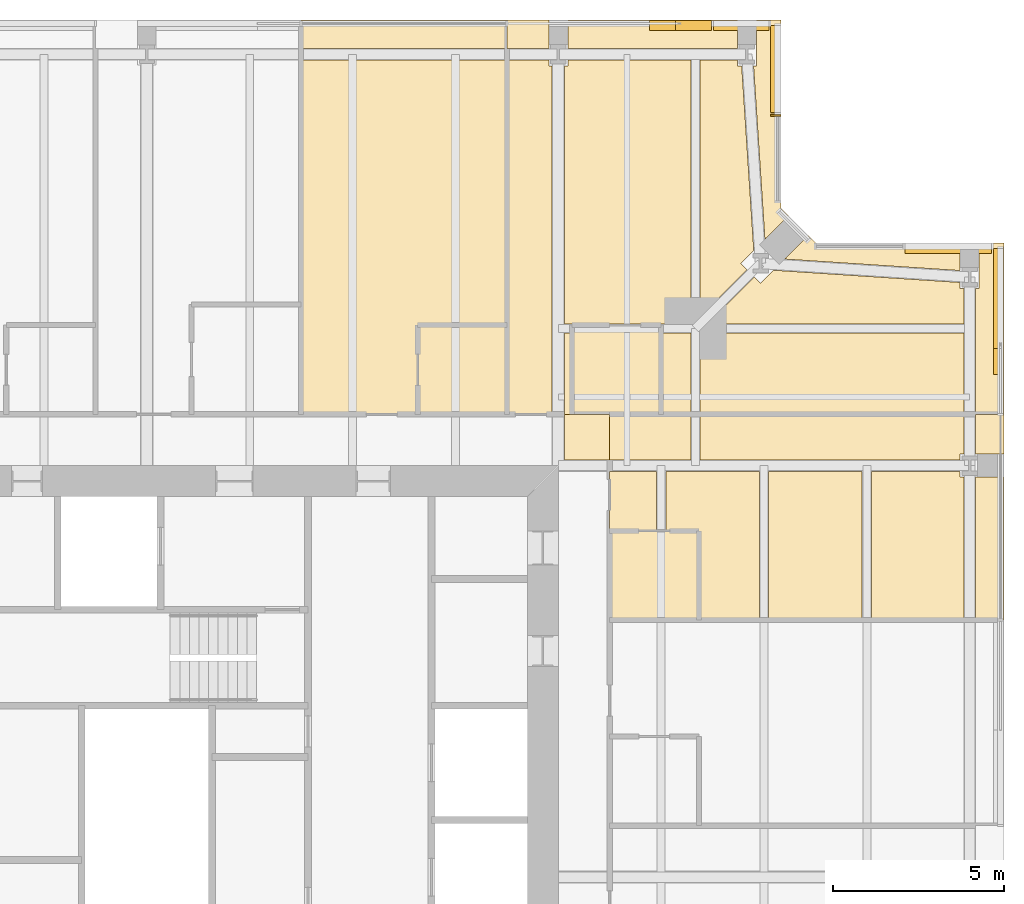
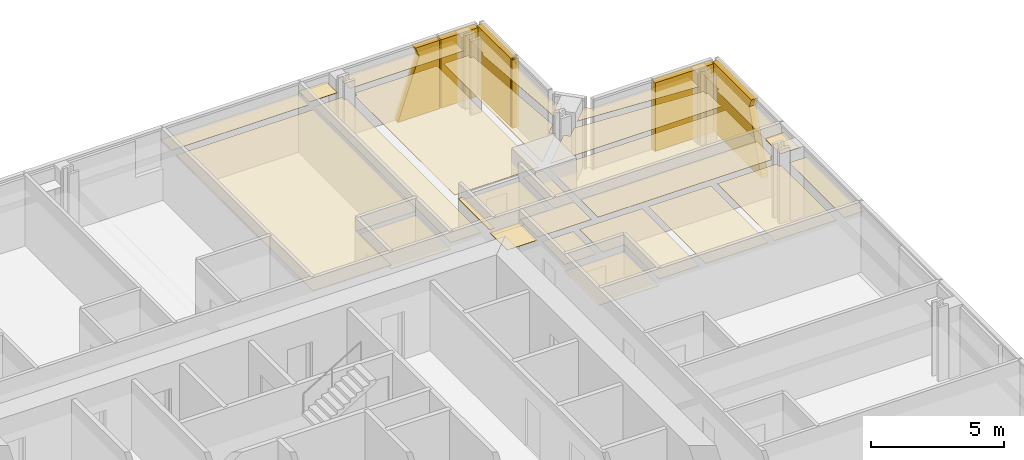
# One storey, part 20 of 20: 32 coverings.
"""IFC4 building model written with IfcOpenShell, lengths in metres."""

from ifc_helpers import new_model, si_unit, direction, frame, origin, place, context, subcontext, project, spatial, polyline, outline, extrude, material, layer, layer_set, type_object, element, save


model = new_model("IFC4")

# Units and contexts
model_context = context("Model", 3, precision=1e-05, world=origin(), true_north=direction((0.0, 1.0)))
body_context = subcontext(model_context, "Body", "Model", "MODEL_VIEW")
ifc_project = project(units=[si_unit("LENGTHUNIT", "METRE"), si_unit("AREAUNIT", "SQUARE_METRE"), si_unit("VOLUMEUNIT", "CUBIC_METRE"), si_unit("PLANEANGLEUNIT", "RADIAN"), si_unit("MASSUNIT", "GRAM", prefix="KILO")], contexts=[model_context])

# Site, building, storey
site_placement = place(None, origin())
site = spatial("IfcSite", under=ifc_project, at=site_placement, CompositionType="ELEMENT")
building_placement = place(site_placement, origin())
building = spatial("IfcBuilding", under=site, at=building_placement, Name="Fenwick Lantern Interchange", CompositionType="ELEMENT")
storey_placement = place(building_placement, frame((0.0, 0.0, 252.60009765625)))
storey = spatial("IfcBuildingStorey", under=building, at=storey_placement, Name="L59", CompositionType="ELEMENT", Elevation=252.60009765625)

# Coverings
ifc_material_1 = material(Name="Granite cladding, warm grey flamed finish, on aluminium carrier frame", Category="masonry")
ifc_layer_1 = layer(ifc_material_1, 0.300048828125)
ifc_layer_set_1 = layer_set([ifc_layer_1], Name="BRACE CASING PANEL 300")
covering_type_1 = type_object("IfcCoveringType", Name="BRACE CASING PANEL 300", PredefinedType="CLADDING", material=ifc_layer_set_1)
covering_1_placement = place(storey_placement, frame((49.89990234375, 6.60009765625, 0.0), z_axis=(0.0, 0.0, 1.0), x_axis=(0.0, 1.0, 0.0)))
element("IfcCovering", 1, at=covering_1_placement, inside=storey, type_object=covering_type_1, Name="Brace casing 05 bay 06a", PredefinedType="CLADDING", context=body_context, shape_type="SweptSolid", body=[
    extrude(outline(polyline([(33.056884765625, 0.0), (36.739990234375, 0.0), (36.739990234375, 3.14990234375), (33.814453125, 3.14990234375), (33.981201171875, 2.737548828125), (33.056884765625, 0.0)])), frame((0.0, 0.2099609375, 0.0), z_axis=(0.0, -1.0, 0.0), x_axis=(1.0, 0.0, 0.0)), (0.0, 0.0, 1.0), 0.300048828125),
])
covering_2_placement = place(storey_placement, frame((49.89990234375, 43.39990234375, 0.0), z_axis=(0.0, 0.0, 1.0), x_axis=(-1.0, 0.0, 0.0)))
element("IfcCovering", 2, at=covering_2_placement, inside=storey, type_object=covering_type_1, Name="Brace casing 06 bay 00a", PredefinedType="CLADDING", context=body_context, shape_type="SweptSolid", body=[
    extrude(outline(polyline([(0.260009765625, 0.0), (2.790771484375, 0.0), (2.790771484375, 3.14990234375), (0.260009765625, 3.14990234375), (0.260009765625, 0.0)])), frame((0.0, 0.2099609375, 0.0), z_axis=(0.0, -1.0, 0.0), x_axis=(1.0, 0.0, 0.0)), (0.0, 0.0, 1.0), 0.300048828125),
])
covering_3_placement = place(storey_placement, frame((43.39990234375, 44.45849609375, 0.0), z_axis=(0.0, 0.0, 1.0), x_axis=(0.0, 1.0, 0.0)))
element("IfcCovering", 3, at=covering_3_placement, inside=storey, type_object=covering_type_1, Name="Brace casing 08 bay 00a", PredefinedType="CLADDING", context=body_context, shape_type="SweptSolid", body=[
    extrude(outline(polyline([(2.741455078125, 0.0), (2.790771484375, 0.0), (2.790771484375, 3.14990234375), (2.741455078125, 3.14990234375), (2.741455078125, 0.0)])), frame((0.0, 0.2099609375, 0.0), z_axis=(0.0, -1.0, 0.0), x_axis=(1.0, 0.0, 0.0)), (0.0, 0.0, 1.0), 0.300048828125),
])
covering_4_placement = place(storey_placement, frame((43.39990234375, 44.45849609375, 0.0), z_axis=(0.0, 0.0, 1.0), x_axis=(0.0, 1.0, 0.0)))
element("IfcCovering", 4, at=covering_4_placement, inside=storey, type_object=covering_type_1, Name="Brace casing 08 bay 01a", PredefinedType="CLADDING", context=body_context, shape_type="SweptSolid", body=[
    extrude(outline(polyline([(2.850830078125, 0.0), (5.38134765625, 0.0), (5.38134765625, 3.14990234375), (2.850830078125, 3.14990234375), (2.850830078125, 0.0)])), frame((0.0, 0.2099609375, 0.0), z_axis=(0.0, -1.0, 0.0), x_axis=(1.0, 0.0, 0.0)), (0.0, 0.0, 1.0), 0.300048828125),
])
covering_5_placement = place(storey_placement, frame((43.39990234375, 49.89990234375, 0.0), z_axis=(0.0, 0.0, 1.0), x_axis=(-1.0, 0.0, 0.0)))
element("IfcCovering", 5, at=covering_5_placement, inside=storey, type_object=covering_type_1, Name="Brace casing 09 bay 00a", PredefinedType="CLADDING", context=body_context, shape_type="SweptSolid", body=[
    extrude(outline(polyline([(0.260009765625, 0.0), (1.8701171875, 0.0), (1.8701171875, 3.14990234375), (0.260009765625, 3.14990234375), (0.260009765625, 0.0)])), frame((0.0, 0.2099609375, 0.0), z_axis=(0.0, -1.0, 0.0), x_axis=(1.0, 0.0, 0.0)), (0.0, 0.0, 1.0), 0.300048828125),
])
covering_6_placement = place(storey_placement, frame((43.39990234375, 49.89990234375, 0.0), z_axis=(0.0, 0.0, 1.0), x_axis=(-1.0, 0.0, 0.0)))
element("IfcCovering", 6, at=covering_6_placement, inside=storey, type_object=covering_type_1, Name="Brace casing 09 bay 01a", PredefinedType="CLADDING", context=body_context, shape_type="SweptSolid", body=[
    extrude(outline(polyline([(1.929931640625, 0.0), (3.7431640625, 0.0), (2.81884765625, 2.737548828125), (2.985595703125, 3.14990234375), (1.929931640625, 3.14990234375), (1.929931640625, 0.0)])), frame((0.0, 0.2099609375, 0.0), z_axis=(0.0, -1.0, 0.0), x_axis=(1.0, 0.0, 0.0)), (0.0, 0.0, 1.0), 0.300048828125),
])
ifc_material_2 = material(Name="Moisture resistant gypsum board on suspended frame, painted")
ifc_layer_2 = layer(ifc_material_2, 0.014892578125)
ifc_layer_set_2 = layer_set([ifc_layer_2], Name="MOISTURE RESISTANT CEILING 15")
covering_type_2 = type_object("IfcCoveringType", Name="MOISTURE RESISTANT CEILING 15", PredefinedType="CEILING", material=ifc_layer_set_2)
covering_7_placement = place(storey_placement, frame((0.0, 0.0, 2.39990234375)))
element("IfcCovering", 7, at=covering_7_placement, inside=storey, type_object=covering_type_2, Name="En-suite 5910 ceiling", PredefinedType="CEILING", context=body_context, shape_type="SweptSolid", body=[
    extrude(outline(polyline([(41.10009765625, 32.5), (41.10009765625, 35.10009765625), (38.5, 35.10009765625), (38.5, 32.5), (41.10009765625, 32.5)])), origin(), (0.0, 0.0, 1.0), 0.014892578125),
])
covering_8_placement = place(storey_placement, frame((0.0, 0.0, 2.39990234375)))
element("IfcCovering", 8, at=covering_8_placement, inside=storey, type_object=covering_type_2, Name="En-suite 5911 ceiling", PredefinedType="CEILING", context=body_context, shape_type="SweptSolid", body=[
    extrude(outline(polyline([(40.0, 41.10009765625), (37.39990234375, 41.10009765625), (37.39990234375, 38.5), (40.0, 38.5), (40.0, 41.10009765625)])), origin(), (0.0, 0.0, 1.0), 0.014892578125),
])
covering_9_placement = place(storey_placement, frame((0.0, 0.0, 2.39990234375)))
element("IfcCovering", 9, at=covering_9_placement, inside=storey, type_object=covering_type_2, Name="En-suite 5912 ceiling", PredefinedType="CEILING", context=body_context, shape_type="SweptSolid", body=[
    extrude(outline(polyline([(35.5, 41.10009765625), (32.89990234375, 41.10009765625), (32.89990234375, 38.5), (35.5, 38.5), (35.5, 41.10009765625)])), origin(), (0.0, 0.0, 1.0), 0.014892578125),
])
ifc_material_3 = material(Name="Gypsum plasterboard on suspended frame, painted")
ifc_layer_3 = layer(ifc_material_3, 0.014892578125)
ifc_layer_set_3 = layer_set([ifc_layer_3], Name="PLASTERBOARD CEILING 15")
covering_type_3 = type_object("IfcCoveringType", Name="PLASTERBOARD CEILING 15", PredefinedType="CEILING", material=ifc_layer_set_3)
covering_10_placement = place(storey_placement, frame((0.0, 0.0, 2.57275390625)))
element("IfcCovering", 10, at=covering_10_placement, inside=storey, type_object=covering_type_3, Name="Corridor ceiling", PredefinedType="CEILING", context=body_context, shape_type="SweptSolid", body=[
    extrude(outline(polyline([(38.5, 38.5), (37.183837890625, 38.5), (37.183837890625, 37.166015625), (38.5, 37.166015625), (38.5, 38.5)])), origin(), (0.0, 0.0, 1.0), 0.014892578125),
])
covering_11_placement = place(storey_placement, frame((0.0, 0.0, 2.699951171875)))
element("IfcCovering", 11, at=covering_11_placement, inside=storey, type_object=covering_type_3, Name="Guest room 5910 ceiling", PredefinedType="CEILING", context=body_context, shape_type="SweptSolid", body=[
    extrude(outline(polyline([(43.134521484375, 32.5), (45.865478515625, 32.5), (45.865478515625, 36.833984375), (43.134521484375, 36.833984375), (43.134521484375, 32.5)])), origin(), (0.0, 0.0, 1.0), 0.014892578125),
])
covering_12_placement = place(storey_placement, frame((0.0, 0.0, 2.699951171875)))
element("IfcCovering", 12, at=covering_12_placement, inside=storey, type_object=covering_type_3, Name="Guest room 5910 ceiling", PredefinedType="CEILING", context=body_context, shape_type="SweptSolid", body=[
    extrude(outline(polyline([(48.72265625, 36.66552734375), (48.72265625, 36.833984375), (46.134521484375, 36.833984375), (46.134521484375, 32.5), (48.82763671875, 32.5), (48.82763671875, 36.66552734375), (48.72265625, 36.66552734375)])), origin(), (0.0, 0.0, 1.0), 0.014892578125),
])
covering_13_placement = place(storey_placement, frame((0.0, 0.0, 2.699951171875)))
element("IfcCovering", 13, at=covering_13_placement, inside=storey, type_object=covering_type_3, Name="Guest room 5910 ceiling", PredefinedType="CEILING", context=body_context, shape_type="SweptSolid", body=[
    extrude(outline(polyline([(48.72265625, 37.33447265625), (48.82763671875, 37.33447265625), (48.82763671875, 38.5), (41.134521484375, 38.5), (41.134521484375, 37.166015625), (48.72265625, 37.166015625), (48.72265625, 37.33447265625)])), origin(), (0.0, 0.0, 1.0), 0.014892578125),
])
covering_14_placement = place(storey_placement, frame((0.0, 0.0, 2.699951171875)))
element("IfcCovering", 14, at=covering_14_placement, inside=storey, type_object=covering_type_3, Name="Guest room 5910 ceiling", PredefinedType="CEILING", context=body_context, shape_type="SweptSolid", body=[
    extrude(outline(polyline([(41.10009765625, 32.5), (42.865478515625, 32.5), (42.865478515625, 36.833984375), (40.134521484375, 36.833984375), (40.134521484375, 35.10009765625), (41.10009765625, 35.10009765625), (41.10009765625, 32.5)])), origin(), (0.0, 0.0, 1.0), 0.014892578125),
])
covering_15_placement = place(storey_placement, frame((0.0, 0.0, 2.699951171875)))
element("IfcCovering", 15, at=covering_15_placement, inside=storey, type_object=covering_type_3, Name="Guest room 5910 ceiling", PredefinedType="CEILING", context=body_context, shape_type="SweptSolid", body=[
    extrude(outline(polyline([(50.0, 36.66552734375), (49.17236328125, 36.66552734375), (49.17236328125, 32.5), (50.0, 32.5), (50.0, 36.66552734375)])), origin(), (0.0, 0.0, 1.0), 0.014892578125),
])
covering_16_placement = place(storey_placement, frame((0.0, 0.0, 2.699951171875)))
element("IfcCovering", 16, at=covering_16_placement, inside=storey, type_object=covering_type_3, Name="Guest room 5910 ceiling", PredefinedType="CEILING", context=body_context, shape_type="SweptSolid", body=[
    extrude(outline(polyline([(38.5, 38.5), (38.5, 37.166015625), (40.865478515625, 37.166015625), (40.865478515625, 38.5), (38.5, 38.5)])), origin(), (0.0, 0.0, 1.0), 0.014892578125),
])
covering_17_placement = place(storey_placement, frame((0.0, 0.0, 2.699951171875)))
element("IfcCovering", 17, at=covering_17_placement, inside=storey, type_object=covering_type_3, Name="Guest room 5910 ceiling", PredefinedType="CEILING", context=body_context, shape_type="SweptSolid", body=[
    extrude(outline(polyline([(38.5, 35.10009765625), (39.865478515625, 35.10009765625), (39.865478515625, 36.833984375), (38.5, 36.833984375), (38.5, 35.10009765625)])), origin(), (0.0, 0.0, 1.0), 0.014892578125),
])
covering_18_placement = place(storey_placement, frame((0.0, 0.0, 2.699951171875)))
element("IfcCovering", 18, at=covering_18_placement, inside=storey, type_object=covering_type_3, Name="Guest room 5910 ceiling", PredefinedType="CEILING", context=body_context, shape_type="SweptSolid", body=[
    extrude(outline(polyline([(50.0, 37.33447265625), (50.0, 38.5), (49.17236328125, 38.5), (49.17236328125, 37.33447265625), (50.0, 37.33447265625)])), origin(), (0.0, 0.0, 1.0), 0.014892578125),
])
covering_19_placement = place(storey_placement, frame((0.0, 0.0, 2.699951171875)))
element("IfcCovering", 19, at=covering_19_placement, inside=storey, type_object=covering_type_3, Name="Guest suite 5911 ceiling", PredefinedType="CEILING", context=body_context, shape_type="SweptSolid", body=[
    extrude(outline(polyline([(37.27734375, 48.66552734375), (37.183837890625, 48.66552734375), (37.183837890625, 41.134521484375), (40.865478515625, 41.134521484375), (40.865478515625, 48.82763671875), (37.27734375, 48.82763671875), (37.27734375, 48.66552734375)])), origin(), (0.0, 0.0, 1.0), 0.014892578125),
])
covering_20_placement = place(storey_placement, frame((0.0, 0.0, 2.699951171875)))
element("IfcCovering", 20, at=covering_20_placement, inside=storey, type_object=covering_type_3, Name="Guest suite 5911 ceiling", PredefinedType="CEILING", context=body_context, shape_type="SweptSolid", body=[
    extrude(outline(polyline([(41.134521484375, 38.5), (48.82763671875, 38.5), (48.82763671875, 40.865478515625), (41.134521484375, 40.865478515625), (41.134521484375, 38.5)])), origin(), (0.0, 0.0, 1.0), 0.014892578125),
])
covering_21_placement = place(storey_placement, frame((0.0, 0.0, 2.699951171875)))
element("IfcCovering", 21, at=covering_21_placement, inside=storey, type_object=covering_type_3, Name="Guest suite 5911 ceiling", PredefinedType="CEILING", context=body_context, shape_type="SweptSolid", body=[
    extrude(outline(polyline([(35.5, 38.5), (36.816162109375, 38.5), (36.816162109375, 48.66552734375), (36.72265625, 48.66552734375), (36.72265625, 48.82763671875), (35.5, 48.82763671875), (35.5, 38.5)])), origin(), (0.0, 0.0, 1.0), 0.014892578125),
])
covering_22_placement = place(storey_placement, frame((0.0, 0.0, 2.699951171875)))
element("IfcCovering", 22, at=covering_22_placement, inside=storey, type_object=covering_type_3, Name="Guest suite 5911 ceiling", PredefinedType="CEILING", context=body_context, shape_type="SweptSolid", body=[
    extrude(outline(polyline([(42.89990234375, 42.3173828125), (42.71728515625, 42.500244140625), (41.351318359375, 41.134521484375), (48.82763671875, 41.134521484375), (48.82763671875, 42.16552734375), (48.72265625, 42.16552734375), (48.72265625, 42.345458984375), (43.284423828125, 42.701904296875), (42.89990234375, 42.3173828125)])), origin(), (0.0, 0.0, 1.0), 0.014892578125),
])
covering_23_placement = place(storey_placement, frame((0.0, 0.0, 2.699951171875)))
element("IfcCovering", 23, at=covering_23_placement, inside=storey, type_object=covering_type_3, Name="Guest suite 5911 ceiling", PredefinedType="CEILING", context=body_context, shape_type="SweptSolid", body=[
    extrude(outline(polyline([(42.22265625, 48.66552734375), (42.22265625, 48.82763671875), (41.134521484375, 48.82763671875), (41.134521484375, 41.351318359375), (42.500244140625, 42.71728515625), (42.3173828125, 42.89990234375), (42.701904296875, 43.284423828125), (42.34912109375, 48.66552734375), (42.22265625, 48.66552734375)])), origin(), (0.0, 0.0, 1.0), 0.014892578125),
])
covering_24_placement = place(storey_placement, frame((0.0, 0.0, 2.699951171875)))
element("IfcCovering", 24, at=covering_24_placement, inside=storey, type_object=covering_type_3, Name="Guest suite 5911 ceiling", PredefinedType="CEILING", context=body_context, shape_type="SweptSolid", body=[
    extrude(outline(polyline([(42.77734375, 48.66552734375), (42.69482421875, 48.66552734375), (43.0263671875, 43.60888671875), (43.708740234375, 44.291259765625), (43.5, 44.5), (43.5, 50.0), (42.77734375, 50.0), (42.77734375, 48.66552734375)])), origin(), (0.0, 0.0, 1.0), 0.014892578125),
])
covering_25_placement = place(storey_placement, frame((0.0, 0.0, 2.699951171875)))
element("IfcCovering", 25, at=covering_25_placement, inside=storey, type_object=covering_type_3, Name="Guest suite 5911 ceiling", PredefinedType="CEILING", context=body_context, shape_type="SweptSolid", body=[
    extrude(outline(polyline([(37.27734375, 50.0), (37.27734375, 49.17236328125), (42.22265625, 49.17236328125), (42.22265625, 50.0), (37.27734375, 50.0)])), origin(), (0.0, 0.0, 1.0), 0.014892578125),
])
covering_26_placement = place(storey_placement, frame((0.0, 0.0, 2.699951171875)))
element("IfcCovering", 26, at=covering_26_placement, inside=storey, type_object=covering_type_3, Name="Guest suite 5911 ceiling", PredefinedType="CEILING", context=body_context, shape_type="SweptSolid", body=[
    extrude(outline(polyline([(49.27734375, 43.5), (49.27734375, 42.16552734375), (49.17236328125, 42.16552734375), (49.17236328125, 38.5), (50.0, 38.5), (50.0, 43.5), (49.27734375, 43.5)])), origin(), (0.0, 0.0, 1.0), 0.014892578125),
])
covering_27_placement = place(storey_placement, frame((0.0, 0.0, 2.699951171875)))
element("IfcCovering", 27, at=covering_27_placement, inside=storey, type_object=covering_type_3, Name="Guest suite 5911 ceiling", PredefinedType="CEILING", context=body_context, shape_type="SweptSolid", body=[
    extrude(outline(polyline([(44.291259765625, 43.708740234375), (43.60888671875, 43.0263671875), (48.72265625, 42.69091796875), (48.72265625, 43.5), (44.5, 43.5), (44.291259765625, 43.708740234375)])), origin(), (0.0, 0.0, 1.0), 0.014892578125),
])
covering_28_placement = place(storey_placement, frame((0.0, 0.0, 2.699951171875)))
element("IfcCovering", 28, at=covering_28_placement, inside=storey, type_object=covering_type_3, Name="Guest suite 5911 ceiling", PredefinedType="CEILING", context=body_context, shape_type="SweptSolid", body=[
    extrude(outline(polyline([(40.0, 38.5), (40.865478515625, 38.5), (40.865478515625, 40.865478515625), (40.0, 40.865478515625), (40.0, 38.5)])), origin(), (0.0, 0.0, 1.0), 0.014892578125),
])
covering_29_placement = place(storey_placement, frame((0.0, 0.0, 2.699951171875)))
element("IfcCovering", 29, at=covering_29_placement, inside=storey, type_object=covering_type_3, Name="Guest suite 5911 ceiling", PredefinedType="CEILING", context=body_context, shape_type="SweptSolid", body=[
    extrude(outline(polyline([(35.5, 50.0), (35.5, 49.17236328125), (36.72265625, 49.17236328125), (36.72265625, 50.0), (35.5, 50.0)])), origin(), (0.0, 0.0, 1.0), 0.014892578125),
])
covering_30_placement = place(storey_placement, frame((0.0, 0.0, 2.699951171875)))
element("IfcCovering", 30, at=covering_30_placement, inside=storey, type_object=covering_type_3, Name="Guest suite 5911 ceiling", PredefinedType="CEILING", context=body_context, shape_type="SweptSolid", body=[
    extrude(outline(polyline([(37.39990234375, 38.5), (37.39990234375, 40.865478515625), (37.183837890625, 40.865478515625), (37.183837890625, 38.5), (37.39990234375, 38.5)])), origin(), (0.0, 0.0, 1.0), 0.014892578125),
])
covering_31_placement = place(storey_placement, frame((0.0, 0.0, 2.57275390625)))
element("IfcCovering", 31, at=covering_31_placement, inside=storey, type_object=covering_type_3, Name="Guest room 5912 ceiling", PredefinedType="CEILING", context=body_context, shape_type="SweptSolid", body=[
    extrude(outline(polyline([(29.5, 48.82763671875), (29.5, 38.5), (32.89990234375, 38.5), (32.89990234375, 41.10009765625), (35.5, 41.10009765625), (35.5, 48.82763671875), (29.5, 48.82763671875)])), origin(), (0.0, 0.0, 1.0), 0.014892578125),
])
covering_32_placement = place(storey_placement, frame((0.0, 0.0, 2.57275390625)))
element("IfcCovering", 32, at=covering_32_placement, inside=storey, type_object=covering_type_3, Name="Guest room 5912 ceiling", PredefinedType="CEILING", context=body_context, shape_type="SweptSolid", body=[
    extrude(outline(polyline([(29.5, 50.0), (29.5, 49.17236328125), (35.5, 49.17236328125), (35.5, 50.0), (29.5, 50.0)])), origin(), (0.0, 0.0, 1.0), 0.014892578125),
])

save(model, "model.ifc")
